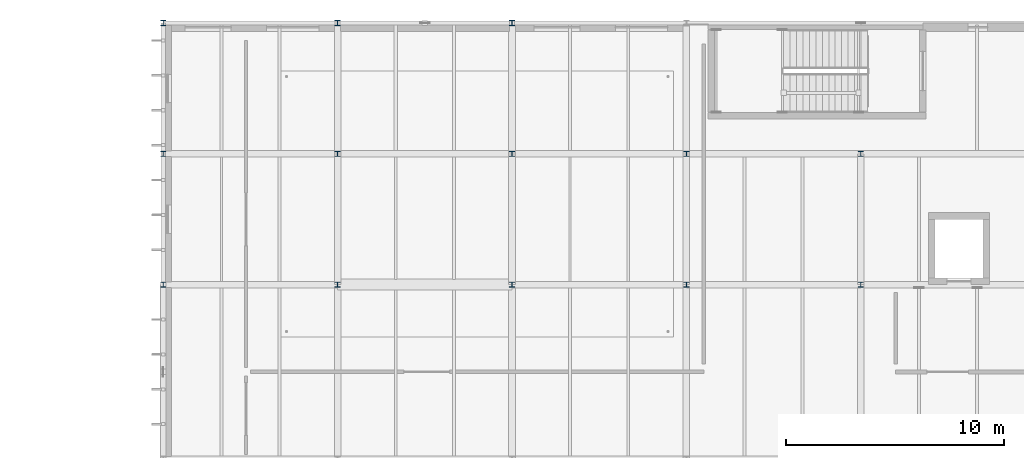
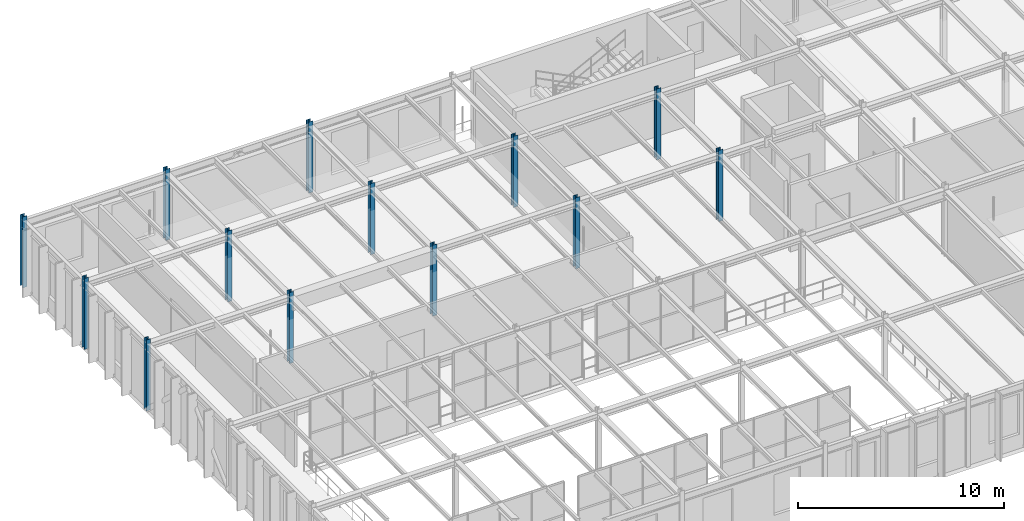
# One storey, part 8 of 124: 13 columns.
"""IFC4 building model written with IfcOpenShell, lengths in metres."""

from ifc_helpers import new_model, si_unit, direction, frame, origin, origin_2d, place, context, subcontext, project, spatial, i_section, extrude, material, material_profile, profile_set, type_object, element, save


model = new_model("IFC4")

# Units and contexts
model_context = context("Model", 3, precision=1e-05, world=origin(), true_north=direction((0.0, 1.0)))
body_context = subcontext(model_context, "Body", "Model", "MODEL_VIEW")
ifc_project = project(units=[si_unit("LENGTHUNIT", "METRE"), si_unit("AREAUNIT", "SQUARE_METRE"), si_unit("VOLUMEUNIT", "CUBIC_METRE"), si_unit("PLANEANGLEUNIT", "RADIAN"), si_unit("MASSUNIT", "GRAM", prefix="KILO")], contexts=[model_context])

# Site, building, storey
site_placement = place(None, origin())
site = spatial("IfcSite", under=ifc_project, at=site_placement, CompositionType="ELEMENT")
building_placement = place(site_placement, origin())
building = spatial("IfcBuilding", under=site, at=building_placement, Name="Sundkrona Museum", CompositionType="ELEMENT")
storey_placement = place(building_placement, frame((0.0, 0.0, 17.60009765625)))
storey = spatial("IfcBuildingStorey", under=building, at=storey_placement, Name="L03", CompositionType="ELEMENT", Elevation=17.60009765625)

# Columns
ifc_material = material(Name="Steel S355J2", Category="steel")
ifc_material_profile = material_profile(ifc_material, i_section(OverallWidth=0.239990234375, OverallDepth=0.239990234375, WebThickness=0.010009765625, FlangeThickness=0.01708984375, FilletRadius=0.02099609375, at=origin_2d()), Name="HEB 240")
ifc_profile_set = profile_set([ifc_material_profile], Name="Steel S355J2")
column_type = type_object("IfcColumnType", Name="C-HEB240", PredefinedType="COLUMN", material=ifc_profile_set)
for number, where, z_axis, x_axis, name in (
    (1, (16.0, 102.0, 0.0), (0.0, 0.0, 1.0), (1.0, 0.0, 0.0), "L03 Column P/3"),
    (2, (16.0, 108.0, 0.0), (0.0, 0.0, 1.0), (1.0, 0.0, 0.0), "L03 Column Q/3"),
    (3, (16.0, 114.0, 0.0), (0.0, 0.0, 1.0), (1.0, 0.0, 0.0), "L03 Column R/3"),
    (4, (24.0, 102.0, 0.0), (0.0, 0.0, 1.0), (1.0, 0.0, 0.0), "L03 Column P/4"),
    (5, (24.0, 108.0, 0.0), (0.0, 0.0, 1.0), (1.0, 0.0, 0.0), "L03 Column Q/4"),
    (6, (24.0, 114.0, 0.0), (0.0, 0.0, 1.0), (1.0, 0.0, 0.0), "L03 Column R/4"),
    (7, (32.0, 102.0, 0.0), (0.0, 0.0, 1.0), (1.0, 0.0, 0.0), "L03 Column P/5"),
    (8, (32.0, 108.0, 0.0), (0.0, 0.0, 1.0), (1.0, 0.0, 0.0), "L03 Column Q/5"),
    (9, (32.0, 114.0, 0.0), (0.0, 0.0, 1.0), (1.0, 0.0, 0.0), "L03 Column R/5"),
    (10, (40.0, 102.0, 0.0), (0.0, 0.0, 1.0), (1.0, 0.0, 0.0), "L03 Column P/6"),
    (11, (40.0, 108.0, 0.0), (0.0, 0.0, 1.0), (1.0, 0.0, 0.0), "L03 Column Q/6"),
    (12, (48.0, 102.0, 0.0), (0.0, 0.0, 1.0), (1.0, 0.0, 0.0), "L03 Column P/7"),
    (13, (48.0, 108.0, 0.0), (0.0, 0.0, 1.0), (1.0, 0.0, 0.0), "L03 Column Q/7"),
):
    element("IfcColumn", number, at=place(storey_placement, frame(where, z_axis=z_axis, x_axis=x_axis)), inside=storey, type_object=column_type, Name=name, PredefinedType="COLUMN", context=body_context, shape_type="SweptSolid", body=[
        extrude(i_section(OverallWidth=0.239990234375, OverallDepth=0.239990234375, WebThickness=0.010009765625, FlangeThickness=0.01708984375, FilletRadius=0.02099609375, at=origin_2d()), origin(), (0.0, 0.0, 1.0), 4.199951171875),
    ])

save(model, "model.ifc")
